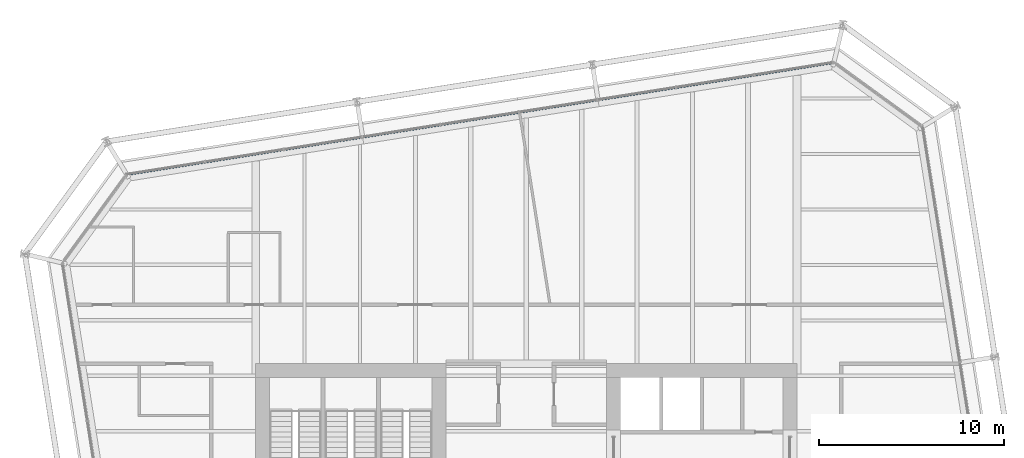
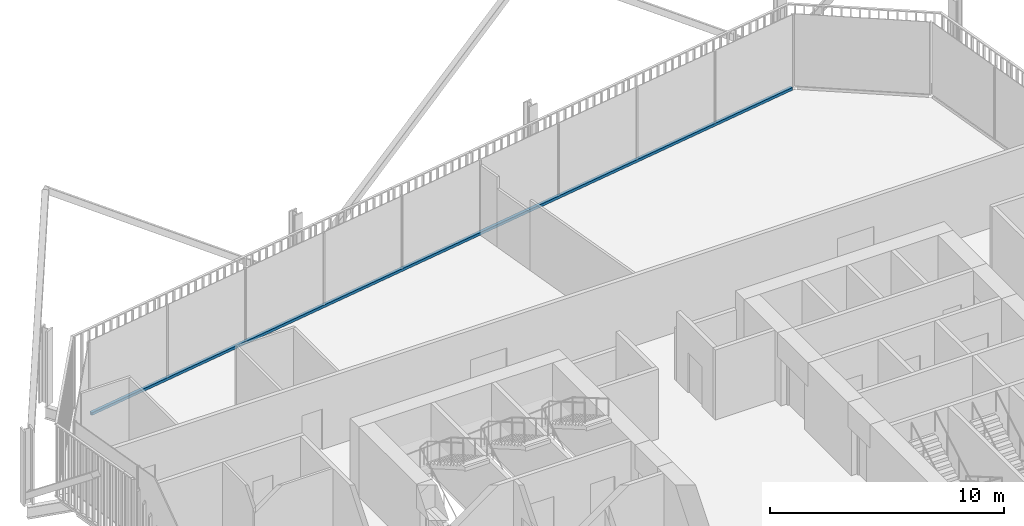
# One storey, part 12 of 22: 1 member, 1 element without a shape of its own.
"""IFC4 building model written with IfcOpenShell, lengths in metres."""

from ifc_helpers import new_model, si_unit, direction, frame, origin, origin_2d, place, context, subcontext, project, spatial, rectangle, extrude, material, layer, layer_set, material_profile, profile_set, type_object, element, aggregate, save


model = new_model("IFC4")

# Units and contexts
model_context = context("Model", 3, precision=1e-05, world=origin(), true_north=direction((0.0, 1.0)))
body_context = subcontext(model_context, "Body", "Model", "MODEL_VIEW")
ifc_project = project(units=[si_unit("LENGTHUNIT", "METRE"), si_unit("AREAUNIT", "SQUARE_METRE"), si_unit("VOLUMEUNIT", "CUBIC_METRE"), si_unit("PLANEANGLEUNIT", "RADIAN"), si_unit("MASSUNIT", "GRAM", prefix="KILO")], contexts=[model_context])

# Site, building, storey
site_placement = place(None, origin())
site = spatial("IfcSite", under=ifc_project, at=site_placement, CompositionType="ELEMENT")
building_placement = place(site_placement, origin())
building = spatial("IfcBuilding", under=site, at=building_placement, Name="Millrace Tower", CompositionType="ELEMENT")
storey_placement = place(building_placement, frame((0.0, 0.0, 168.5)))
storey = spatial("IfcBuildingStorey", under=building, at=storey_placement, Name="L38", CompositionType="ELEMENT", Elevation=168.5)

# Curtain wall, member
ifc_material_1 = material(Name="Aluminium and glass", Category="aluminium")
ifc_layer = layer(ifc_material_1, 0.14990234375)
ifc_layer_set = layer_set([ifc_layer], Name="Aluminium and glass")
curtain_wall_type = type_object("IfcCurtainWallType", Name="CW-1 office vision curtain wall", PredefinedType="NOTDEFINED", material=ifc_layer_set)
curtain_wall_placement = place(storey_placement, origin())
curtain_wall = element("IfcCurtainWall", 1, at=curtain_wall_placement, inside=storey, type_object=curtain_wall_type, Name="Curtain wall C-F06 L38", PredefinedType="NOTDEFINED")
ifc_material_2 = material(Name="Aluminium", Category="aluminium")
ifc_material_profile = material_profile(ifc_material_2, rectangle(XDim=0.14990234375, YDim=0.139892578125, at=origin_2d()))
ifc_profile_set = profile_set([ifc_material_profile], Name="Aluminium")
member_type = type_object("IfcMemberType", Name="CW-1 office vision curtain wall transom", PredefinedType="USERDEFINED", material=ifc_profile_set)
member_placement = place(storey_placement, frame((16.525146484375, 25.946044921875, 0.070068359375), z_axis=(-0.987688505691, -0.156433422663, 0.0), x_axis=(0.156433422663, -0.987688505691, 0.0)))
member = element("IfcMember", 2, at=member_placement, type_object=member_type, Name="CW1 transom C-F06.1", ObjectType="TRANSOM", PredefinedType="USERDEFINED", context=body_context, shape_type="SweptSolid", body=[
    extrude(rectangle(XDim=0.14990234375, YDim=0.139892578125, at=origin_2d()), origin(), (0.0, 0.0, 1.0), 38.5),
])
aggregate(curtain_wall, [member])

save(model, "model.ifc")
